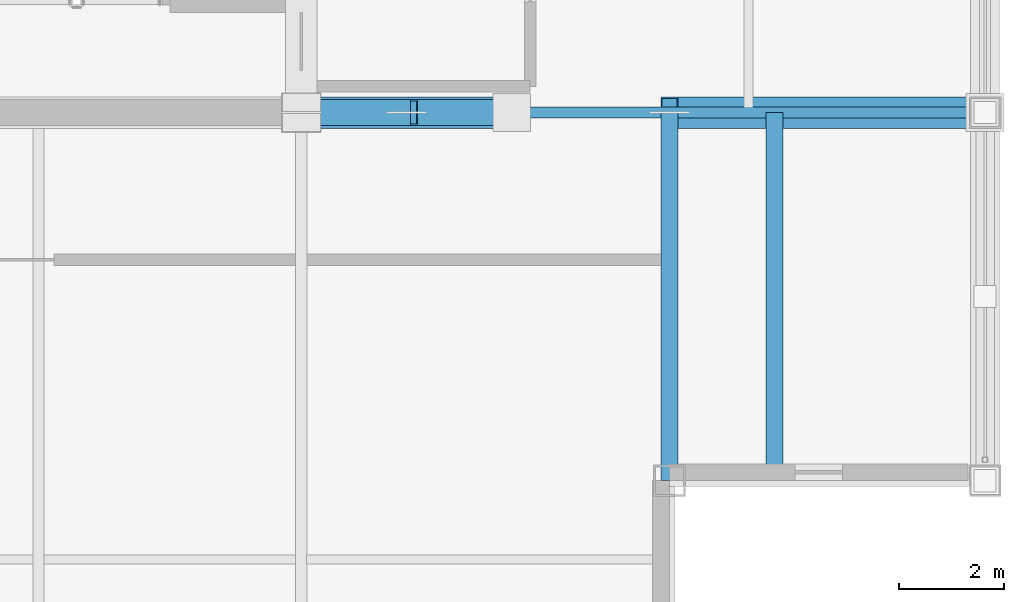
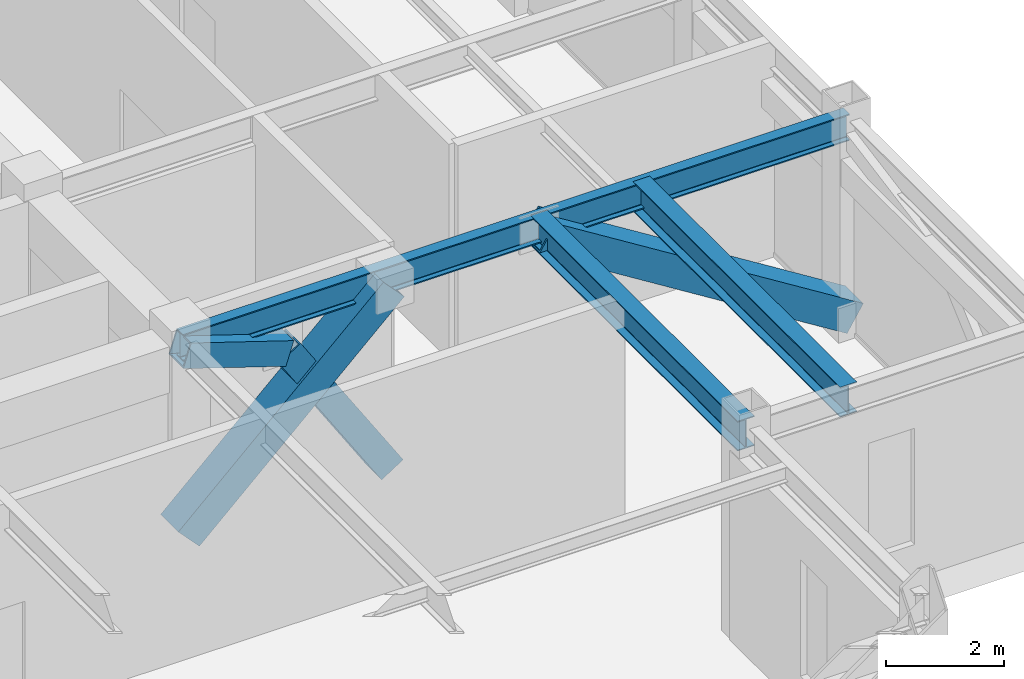
# One storey, part 9 of 32: 4 members, 3 beams.
"""IFC4 building model written with IfcOpenShell, lengths in metres."""

from ifc_helpers import new_model, si_unit, direction, frame, origin, origin_2d, place, context, subcontext, project, spatial, hollow_rectangle, i_section, extrude, source, transform, mapped, material, material_profile, profile_set, type_object, element, save


model = new_model("IFC4")

# Units and contexts
model_context = context("Model", 3, precision=1e-05, world=origin(), true_north=direction((0.0, 1.0)))
body_context = subcontext(model_context, "Body", "Model", "MODEL_VIEW")
ifc_project = project(units=[si_unit("LENGTHUNIT", "METRE"), si_unit("AREAUNIT", "SQUARE_METRE"), si_unit("VOLUMEUNIT", "CUBIC_METRE"), si_unit("PLANEANGLEUNIT", "RADIAN"), si_unit("MASSUNIT", "GRAM", prefix="KILO")], contexts=[model_context])

# Site, building, storey
site_placement = place(None, origin())
site = spatial("IfcSite", under=ifc_project, at=site_placement, CompositionType="ELEMENT")
building_placement = place(site_placement, origin())
building = spatial("IfcBuilding", under=site, at=building_placement, Name="Khorayat Bourse Tower", CompositionType="ELEMENT")
storey_placement = place(building_placement, frame((0.0, 0.0, 375.5)))
storey = spatial("IfcBuildingStorey", under=building, at=storey_placement, Name="L89", CompositionType="ELEMENT", Elevation=375.5)

# Member
ifc_material_1 = material(Name="Steel EN 10025-4 S460M", Category="steel")
ifc_material_profile_1 = material_profile(ifc_material_1, hollow_rectangle(XDim=0.5, YDim=0.5, WallThickness=0.028076171875, at=origin_2d()), Name="HSS 500x500x28")
ifc_profile_set_1 = profile_set([ifc_material_profile_1], Name="Steel EN 10025-4 S460M")
member_type_1 = type_object("IfcMemberType", Name="MBR-TRUSS-500", PredefinedType="CHORD", material=ifc_profile_set_1)
shared_shape_1 = source(origin(), body_context, "Body", "SweptSolid", [
    extrude(hollow_rectangle(XDim=0.5, YDim=0.5, WallThickness=0.028076171875, at=origin_2d()), origin(), (0.0, 0.0, 1.0), 3.68896484375),
])
member_1_placement = place(storey_placement, frame((13.0, -11.0, 3.449951171875), z_axis=(0.542144958519, 0.0, -0.840284977822), x_axis=(0.0, 1.0, 0.0)))
element("IfcMember", 1, at=member_1_placement, inside=storey, type_object=member_type_1, Name="L89 Plant Belt Web Diagonal 06", PredefinedType="CHORD", context=body_context, shape_type="MappedRepresentation", body=[
    mapped(shared_shape_1, transform((0.0, 0.0, 0.0), scale=1.0)),
])

# Beams
ifc_material_2 = material(Name="Steel ASTM A992 Grade 50", Category="steel")
ifc_material_profile_2 = material_profile(ifc_material_2, i_section(OverallWidth=0.214111328125, OverallDepth=0.549072265625, WebThickness=0.0146484375, FlangeThickness=0.023681640625, FilletRadius=0.013916015625, at=origin_2d()), Name="W530X138")
ifc_profile_set_2 = profile_set([ifc_material_profile_2], Name="Steel ASTM A992 Grade 50")
beam_type_1 = type_object("IfcBeamType", Name="BM-GIRD-530", PredefinedType="BEAM", material=ifc_profile_set_2)
shared_shape_2 = source(origin(), body_context, "Body", "SweptSolid", [
    extrude(i_section(OverallWidth=0.214111328125, OverallDepth=0.549072265625, WebThickness=0.0146484375, FlangeThickness=0.023681640625, FilletRadius=0.013916015625, at=origin_2d()), origin(), (0.0, 0.0, 1.0), 13.0),
])
beam_placement = place(storey_placement, frame((11.0, -11.0, 4.175537109375), z_axis=(1.0, 0.0, 0.0), x_axis=(0.0, 1.0, 0.0)))
element("IfcBeam", 2, at=beam_placement, inside=storey, type_object=beam_type_1, Name="L89 BM-GIRD-530 BM-L89-RADX-066", PredefinedType="BEAM", context=body_context, shape_type="MappedRepresentation", body=[
    mapped(shared_shape_2, transform((0.0, 0.0, 0.0), scale=1.0)),
])
ifc_material_profile_3 = material_profile(ifc_material_2, i_section(OverallWidth=0.324951171875, OverallDepth=0.615966796875, WebThickness=0.013916015625, FlangeThickness=0.021484375, FilletRadius=0.01611328125, at=origin_2d()), Name="W610X174")
ifc_profile_set_3 = profile_set([ifc_material_profile_3], Name="Steel ASTM A992 Grade 50")
beam_type_2 = type_object("IfcBeamType", Name="BM-GIRD-610", PredefinedType="BEAM", material=ifc_profile_set_3)
shared_shape_3 = source(origin(), body_context, "Body", "SweptSolid", [
    extrude(i_section(OverallWidth=0.324951171875, OverallDepth=0.615966796875, WebThickness=0.013916015625, FlangeThickness=0.021484375, FilletRadius=0.01611328125, at=origin_2d()), origin(), (0.0, 0.0, 1.0), 7.0),
])
for number, where, z_axis, x_axis, name in (
    (3, (18.0, -18.0, 4.14208984375), (0.0, 1.0, 0.0), (-1.0, 0.0, 0.0), "L89 BM-GIRD-610 BM-L89-CNRY-078"),
    (4, (20.0, -18.0, 4.14208984375), (0.0, 1.0, 0.0), (-1.0, 0.0, 0.0), "L89 BM-GIRD-610 BM-L89-CNRY-082"),
):
    element("IfcBeam", number, at=place(storey_placement, frame(where, z_axis=z_axis, x_axis=x_axis)), inside=storey, type_object=beam_type_2, Name=name, PredefinedType="BEAM", context=body_context, shape_type="MappedRepresentation", body=[
        mapped(shared_shape_3, transform((0.0, 0.0, 0.0), scale=1.0)),
    ])

# Members
ifc_material_profile_4 = material_profile(ifc_material_1, hollow_rectangle(XDim=0.60009765625, YDim=0.60009765625, WallThickness=0.034912109375, at=origin_2d()), Name="BOX 600x600x35")
ifc_profile_set_4 = profile_set([ifc_material_profile_4], Name="Steel EN 10025-4 S460M")
member_type_2 = type_object("IfcMemberType", Name="MBR-OUTRIG-600", PredefinedType="BRACE", material=ifc_profile_set_4)
shared_shape_4 = source(origin(), body_context, "Body", "SweptSolid", [
    extrude(hollow_rectangle(XDim=0.60009765625, YDim=0.60009765625, WallThickness=0.034912109375, at=origin_2d()), origin(), (0.0, 0.0, 1.0), 5.48291015625),
])
member_2_placement = place(storey_placement, frame((11.0, -11.0, 0.35009765625), z_axis=(0.72953720414, 0.0, 0.683941128881), x_axis=(0.0, 1.0, 0.0)))
element("IfcMember", 5, at=member_2_placement, inside=storey, type_object=member_type_2, Name="L89 Outrigger Truss Diagonal 05", PredefinedType="BRACE", context=body_context, shape_type="MappedRepresentation", body=[
    mapped(shared_shape_4, transform((0.0, 0.0, 0.0), scale=1.0)),
])
shared_shape_5 = source(origin(), body_context, "Body", "SweptSolid", [
    extrude(hollow_rectangle(XDim=0.60009765625, YDim=0.60009765625, WallThickness=0.034912109375, at=origin_2d()), origin(), (0.0, 0.0, 1.0), 7.075439453125),
])
member_3_placement = place(storey_placement, frame((18.0, -11.0, 4.10009765625), z_axis=(0.847998304005, 0.0, -0.529998940003), x_axis=(0.0, 1.0, 0.0)))
element("IfcMember", 6, at=member_3_placement, inside=storey, type_object=member_type_2, Name="L89 Outrigger Truss Diagonal 06", PredefinedType="BRACE", context=body_context, shape_type="MappedRepresentation", body=[
    mapped(shared_shape_5, transform((0.0, 0.0, 0.0), scale=1.0)),
])
shared_shape_6 = source(origin(), body_context, "Body", "SweptSolid", [
    extrude(hollow_rectangle(XDim=0.5, YDim=0.5, WallThickness=0.028076171875, at=origin_2d()), origin(), (0.0, 0.0, 1.0), 2.10302734375),
])
member_4_placement = place(storey_placement, frame((11.0, -11.0, 4.10009765625), z_axis=(0.951013591662, 0.0, -0.309149071606), x_axis=(0.0, 1.0, 0.0)))
element("IfcMember", 7, at=member_4_placement, inside=storey, type_object=member_type_1, Name="L89 Plant Belt Web Diagonal 05", PredefinedType="CHORD", context=body_context, shape_type="MappedRepresentation", body=[
    mapped(shared_shape_6, transform((0.0, 0.0, 0.0), scale=1.0)),
])

save(model, "model.ifc")
